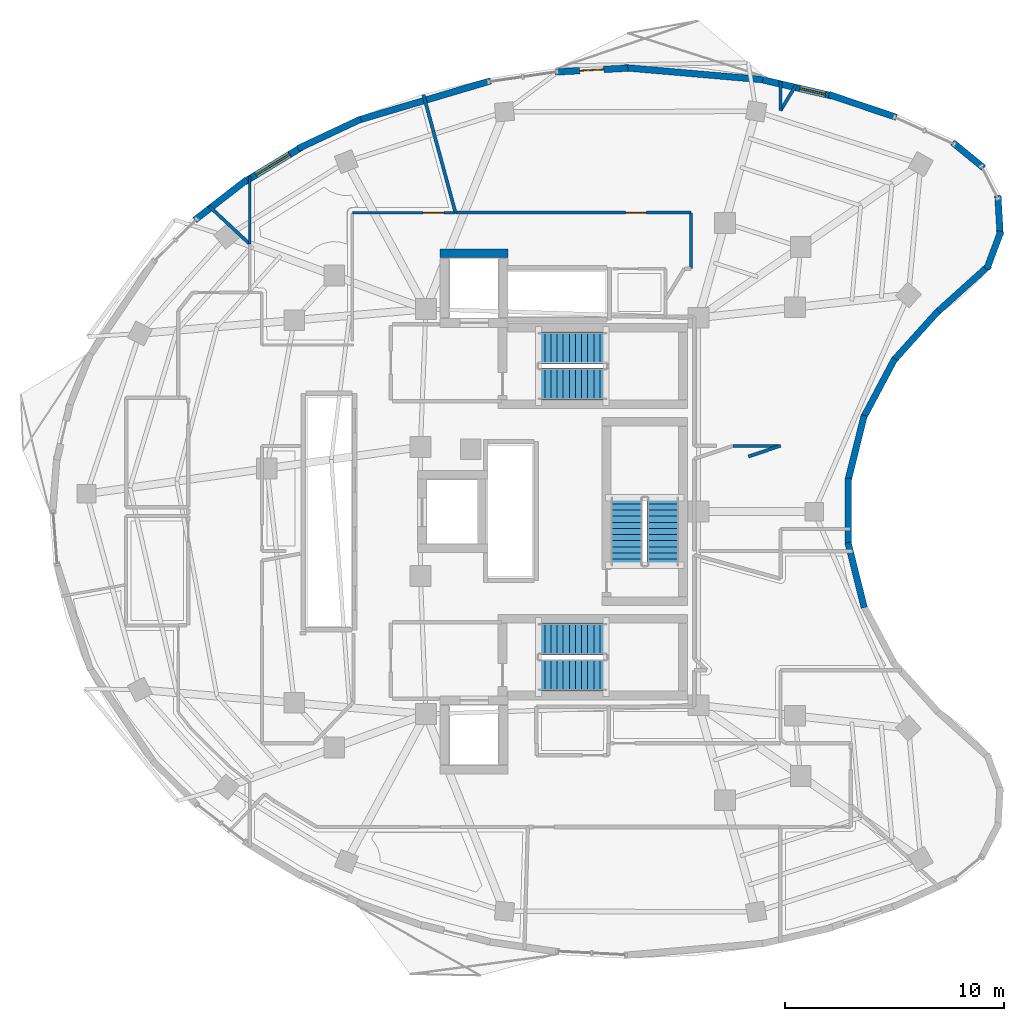
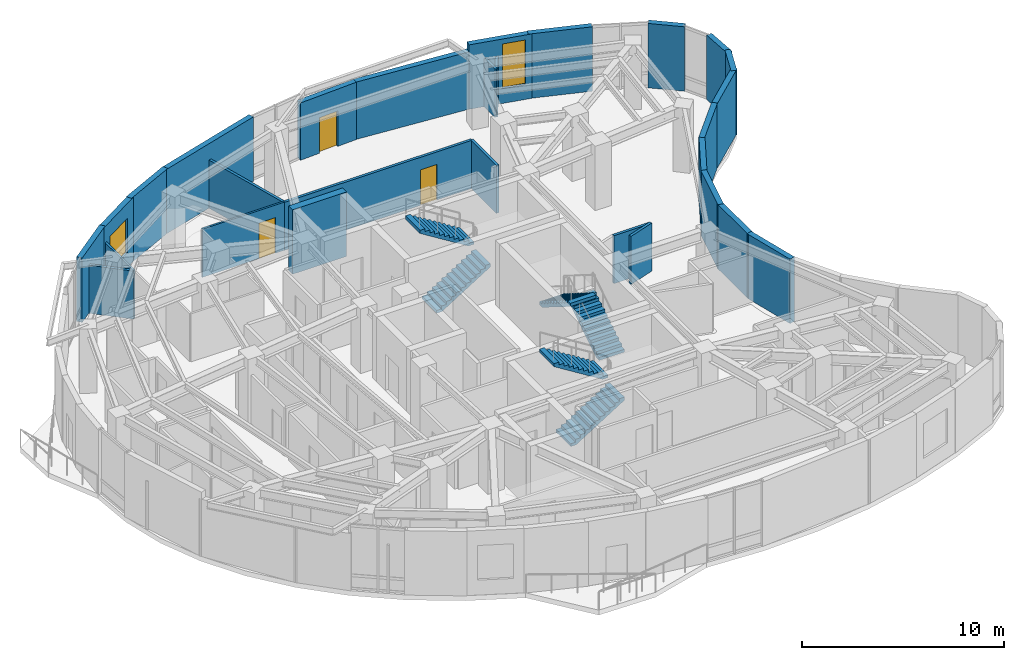
# One storey, part 10 of 14: 28 walls, 6 stair flights, 3 doors, 2 windows, 5 openings, 3 elements without a shape of their own.
"""IFC4 building model written with IfcOpenShell, lengths in metres."""

from ifc_helpers import new_model, si_unit, direction, frame, frame_2d, origin, place, context, subcontext, project, spatial, polyline, rectangle, outline, extrude, material, layer, layer_set, type_object, element, fill, aggregate, save


model = new_model("IFC4")

# Units and contexts
model_context = context("Model", 3, precision=1e-05, world=origin(), true_north=direction((0.0, 1.0)))
body_context = subcontext(model_context, "Body", "Model", "MODEL_VIEW")
ifc_project = project(units=[si_unit("LENGTHUNIT", "METRE"), si_unit("AREAUNIT", "SQUARE_METRE"), si_unit("VOLUMEUNIT", "CUBIC_METRE"), si_unit("PLANEANGLEUNIT", "RADIAN"), si_unit("MASSUNIT", "GRAM", prefix="KILO")], contexts=[model_context])

# Site, building, storey
site_placement = place(None, origin())
site = spatial("IfcSite", under=ifc_project, at=site_placement, CompositionType="ELEMENT")
building_placement = place(site_placement, origin())
building = spatial("IfcBuilding", under=site, at=building_placement, Name="Korentha Bioscience Tower", CompositionType="ELEMENT")
storey_placement = place(building_placement, frame((0.0, 0.0, 264.60009765625)))
storey = spatial("IfcBuildingStorey", under=building, at=storey_placement, Name="L61", CompositionType="ELEMENT", Elevation=264.60009765625)

# Wall, opening, door
ifc_material_1 = material(Name="Double-Stud Acoustic Gypsum", Category="gypsum")
ifc_layer_1 = layer(ifc_material_1, 0.14990234375, Name="Double-Stud Acoustic Gypsum")
ifc_layer_set_1 = layer_set([ifc_layer_1], Name="Double-Stud Acoustic Gypsum (IW-L150)")
wall_type_1 = type_object("IfcWallType", Name="Acoustic Laboratory Partition Wall 150", PredefinedType="PARTITIONING", material=ifc_layer_set_1)
wall_1_placement = place(storey_placement, frame((37.199951171875, 40.659912109375, 0.0), z_axis=(0.0, 0.0, 1.0), x_axis=(-1.0, 0.0, 0.0)))
wall_1 = element("IfcWall", 1, at=wall_1_placement, inside=storey, type_object=wall_type_1, Name="L61 Computational Biology Open Studio 08 Entrance Wall", PredefinedType="PARTITIONING", context=body_context, shape_type="SweptSolid", body=[
    extrude(rectangle(XDim=10.749755859375, YDim=0.14990234375, at=frame_2d((5.375, 0.0))), origin(), (0.0, 0.0, 1.0), 2.909912109375),
])
opening_1_placement = place(wall_1_placement, frame((2.022705078125, 0.0, 0.0)))
opening_1 = element("IfcOpeningElement", 2, at=opening_1_placement, cuts=wall_1, Name="Opening ID-10L", PredefinedType="OPENING", context=body_context, shape_type="SweptSolid", body=[
    extrude(rectangle(XDim=0.949951171875, YDim=2.14990234375, at=frame_2d((0.47509765625, 1.074951171875))), frame((0.0, 0.08984375, 0.0), z_axis=(0.0, -1.0, 0.0), x_axis=(1.0, 0.0, 0.0)), (0.0, 0.0, 1.0), 0.1796875),
])
ifc_material_2 = material(Name="Phenolic Laminate Timber Core", Category="wood")
door_type_1 = type_object("IfcDoorType", Name="Laboratory Single Leaf Door 950x2150 Left", OperationType="SINGLE_SWING_LEFT", PredefinedType="DOOR", material=ifc_material_2)
door_1_placement = place(opening_1_placement, origin())
door_1 = element("IfcDoor", 3, at=door_1_placement, inside=storey, type_object=door_type_1, Name="L61 Computational Biology Open Studio 08 Door", OperationType="SINGLE_SWING_LEFT", OverallHeight=2.14990234375, OverallWidth=0.949951171875, PredefinedType="DOOR", context=body_context, shape_type="SweptSolid", body=[
    extrude(rectangle(XDim=0.949951171875, YDim=2.14990234375, at=frame_2d((0.47509765625, 1.074951171875))), frame((0.0, 0.02490234375, 0.0), z_axis=(0.0, -1.0, 0.0), x_axis=(1.0, 0.0, 0.0)), (0.0, 0.0, 1.0), 0.050048828125),
])
fill(opening_1, door_1)

# Walls
wall_2_placement = place(storey_placement, frame((41.298095703125, 46.6708984375, 0.0), z_axis=(0.0, 0.0, 1.0), x_axis=(0.0, -1.0, 0.0)))
element("IfcWall", 4, at=wall_2_placement, inside=storey, type_object=wall_type_1, Name="L61 Interior Partition 062", PredefinedType="PARTITIONING", context=body_context, shape_type="SweptSolid", body=[
    extrude(rectangle(XDim=1.3408203125, YDim=0.14990234375, at=frame_2d((0.67041015625, 0.0))), origin(), (0.0, 0.0, 1.0), 2.909912109375),
])
wall_3_placement = place(storey_placement, frame((41.305419921875, 45.327880859375, 0.0), z_axis=(0.0, 0.0, 1.0), x_axis=(0.519522541731, 0.854456744741, 0.0)))
element("IfcWall", 5, at=wall_3_placement, inside=storey, type_object=wall_type_1, Name="L61 Interior Partition 063", PredefinedType="PARTITIONING", context=body_context, shape_type="SweptSolid", body=[
    extrude(rectangle(XDim=1.368896484375, YDim=0.14990234375, at=frame_2d((0.6845703125, 0.0))), origin(), (0.0, 0.0, 1.0), 2.909912109375),
])
wall_4_placement = place(storey_placement, frame((37.2099609375, 38.10009765625, 0.0), z_axis=(0.0, 0.0, 1.0), x_axis=(0.0, 1.0, 0.0)))
element("IfcWall", 6, at=wall_4_placement, inside=storey, type_object=wall_type_1, Name="L61 Interior Partition 074", PredefinedType="PARTITIONING", context=body_context, shape_type="SweptSolid", body=[
    extrude(rectangle(XDim=2.5498046875, YDim=0.14990234375, at=frame_2d((1.27490234375, 0.0))), origin(), (0.0, 0.0, 1.0), 2.909912109375),
])
wall_5_placement = place(storey_placement, frame((26.4501953125, 40.659912109375, 0.0), z_axis=(0.0, 0.0, 1.0), x_axis=(-0.262158446876, 0.965024843583, 0.0)))
element("IfcWall", 7, at=wall_5_placement, inside=storey, type_object=wall_type_1, Name="L61 Interior Partition 075", PredefinedType="PARTITIONING", context=body_context, shape_type="SweptSolid", body=[
    extrude(rectangle(XDim=5.580078125, YDim=0.14990234375, at=frame_2d((2.7900390625, 0.0))), origin(), (0.0, 0.0, 1.0), 2.909912109375),
])
wall_6_placement = place(storey_placement, frame((39.137939453125, 29.998046875, 0.0), z_axis=(0.0, 0.0, 1.0), x_axis=(1.0, 0.0, 0.0)))
element("IfcWall", 8, at=wall_6_placement, inside=storey, type_object=wall_type_1, Name="L61 Interior Partition 076", PredefinedType="PARTITIONING", context=body_context, shape_type="SweptSolid", body=[
    extrude(rectangle(XDim=2.159912109375, YDim=0.14990234375, at=frame_2d((1.080078125, 0.0))), origin(), (0.0, 0.0, 1.0), 2.909912109375),
])
wall_7_placement = place(storey_placement, frame((41.296630859375, 30.005859375, 0.0), z_axis=(0.0, 0.0, 1.0), x_axis=(-0.94833529206, -0.317269875395, 0.0)))
element("IfcWall", 9, at=wall_7_placement, inside=storey, type_object=wall_type_1, Name="L61 Interior Partition 078", PredefinedType="PARTITIONING", context=body_context, shape_type="SweptSolid", body=[
    extrude(rectangle(XDim=1.5458984375, YDim=0.14990234375, at=frame_2d((0.77294921875, 0.0))), origin(), (0.0, 0.0, 1.0), 2.909912109375),
])
wall_8_placement = place(storey_placement, frame((15.18310546875, 40.963134765625, 0.0), z_axis=(0.0, 0.0, 1.0), x_axis=(0.731313930883, -0.682041006462, 0.0)))
element("IfcWall", 10, at=wall_8_placement, inside=storey, type_object=wall_type_1, Name="L61 Interior Partition 085", PredefinedType="PARTITIONING", context=body_context, shape_type="SweptSolid", body=[
    extrude(rectangle(XDim=2.541748046875, YDim=0.14990234375, at=frame_2d((1.27099609375, 0.0))), origin(), (0.0, 0.0, 1.0), 2.909912109375),
])

# Wall, opening, door
ifc_material_3 = material(Name="Fire-Rated Framed Glass", Category="glass")
ifc_layer_2 = layer(ifc_material_3, 0.110107421875, Name="Fire-Rated Framed Glass")
ifc_layer_set_2 = layer_set([ifc_layer_2], Name="Fire-Rated Framed Glass (IW-G110)")
wall_type_2 = type_object("IfcWallType", Name="Demountable Glazed Office Partition 110", PredefinedType="MOVABLE", material=ifc_layer_set_2)
wall_9_placement = place(storey_placement, frame((26.43994140625, 40.659912109375, 0.0), z_axis=(0.0, 0.0, 1.0), x_axis=(-1.0, 0.0, 0.0)))
wall_9 = element("IfcWall", 11, at=wall_9_placement, inside=storey, type_object=wall_type_2, Name="L61 Postdoctoral Fellows' Quiet Study 09 Entrance Wall", PredefinedType="MOVABLE", context=body_context, shape_type="SweptSolid", body=[
    extrude(rectangle(XDim=4.68994140625, YDim=0.110107421875, at=frame_2d((2.344970703125, 0.0))), origin(), (0.0, 0.0, 1.0), 2.909912109375),
])
opening_2_placement = place(wall_9_placement, frame((0.51171875, 0.0, 0.0)))
opening_2 = element("IfcOpeningElement", 12, at=opening_2_placement, cuts=wall_9, Name="Opening ID-10R", PredefinedType="OPENING", context=body_context, shape_type="SweptSolid", body=[
    extrude(rectangle(XDim=0.949951171875, YDim=2.14990234375, at=frame_2d((0.47509765625, 1.074951171875))), frame((0.0, 0.06982421875, 0.0), z_axis=(0.0, -1.0, 0.0), x_axis=(1.0, 0.0, 0.0)), (0.0, 0.0, 1.0), 0.139892578125),
])
door_type_2 = type_object("IfcDoorType", Name="Laboratory Single Leaf Door 950x2150 Right", OperationType="SINGLE_SWING_RIGHT", PredefinedType="DOOR", material=ifc_material_2)
door_2_placement = place(opening_2_placement, origin())
door_2 = element("IfcDoor", 13, at=door_2_placement, inside=storey, type_object=door_type_2, Name="L61 Postdoctoral Fellows' Quiet Study 09 Door", OperationType="SINGLE_SWING_RIGHT", OverallHeight=2.14990234375, OverallWidth=0.949951171875, PredefinedType="DOOR", context=body_context, shape_type="SweptSolid", body=[
    extrude(rectangle(XDim=0.949951171875, YDim=2.14990234375, at=frame_2d((0.47509765625, 1.074951171875))), frame((0.0, 0.02490234375, 0.0), z_axis=(0.0, -1.0, 0.0), x_axis=(1.0, 0.0, 0.0)), (0.0, 0.0, 1.0), 0.050048828125),
])
fill(opening_2, door_2)

# Wall
wall_10_placement = place(storey_placement, frame((17.052001953125, 39.225830078125, 0.0), z_axis=(0.0, 0.0, 1.0), x_axis=(0.0, 1.0, 0.0)))
element("IfcWall", 14, at=wall_10_placement, inside=storey, type_object=wall_type_2, Name="L61 Interior Partition 079", PredefinedType="MOVABLE", context=body_context, shape_type="SweptSolid", body=[
    extrude(rectangle(XDim=3.098876953125, YDim=0.110107421875, at=frame_2d((1.54931640625, 0.0))), origin(), (0.0, 0.0, 1.0), 2.909912109375),
])

# Wall, opening, window
ifc_material_4 = material(Name="Honed Limestone Precast Concrete C40", Category="masonry")
ifc_layer_3 = layer(ifc_material_4, 0.300048828125, Name="Honed Limestone Precast Concrete C40")
ifc_layer_set_3 = layer_set([ifc_layer_3], Name="Honed Limestone Precast Concrete C40 (EW-ST300)")
wall_type_3 = type_object("IfcWallType", Name="Honed Limestone Cavity Spandrel Wall 300", PredefinedType="STANDARD", material=ifc_layer_set_3)
wall_11_placement = place(storey_placement, frame((43.662841796875, 45.986328125, 0.0), z_axis=(0.0, 0.0, 1.0), x_axis=(-0.974196208509, 0.225702785377, 0.0)))
wall_11 = element("IfcWall", 15, at=wall_11_placement, inside=storey, type_object=wall_type_3, Name="L61 Honed Limestone Spandrel Wall 03", PredefinedType="STANDARD", context=body_context, shape_type="SweptSolid", body=[
    extrude(rectangle(XDim=3.255859375, YDim=0.300048828125, at=frame_2d((1.6279296875, 0.0))), origin(), (0.0, 0.0, 1.0), 3.89990234375),
])
opening_3_placement = place(wall_11_placement, frame((0.324462890625, 0.0, 0.89990234375)))
opening_3 = element("IfcOpeningElement", 16, at=opening_3_placement, cuts=wall_11, Name="Opening WN-03", PredefinedType="OPENING", context=body_context, shape_type="SweptSolid", body=[
    extrude(rectangle(XDim=1.199951171875, YDim=2.699951171875, at=frame_2d((0.60009765625, 1.35009765625))), frame((0.0, 0.1650390625, 0.0), z_axis=(0.0, -1.0, 0.0), x_axis=(1.0, 0.0, 0.0)), (0.0, 0.0, 1.0), 0.329833984375),
])
ifc_material_5 = material(Name="Thermally Broken Aluminium Triple Glazing", Category="aluminium")
window_type_1 = type_object("IfcWindowType", Name="Theatre Foyer Tall Ribbon Window 1200x2700", PartitioningType="SINGLE_PANEL", PredefinedType="WINDOW", material=ifc_material_5)
window_1_placement = place(opening_3_placement, origin())
window_1 = element("IfcWindow", 17, at=window_1_placement, inside=storey, type_object=window_type_1, Name="L61 Facade Window 03", OverallHeight=2.699951171875, OverallWidth=1.199951171875, PartitioningType="SINGLE_PANEL", PredefinedType="WINDOW", context=body_context, shape_type="SweptSolid", body=[
    extrude(rectangle(XDim=1.199951171875, YDim=2.699951171875, at=frame_2d((0.60009765625, 1.35009765625))), frame((0.0, 0.030029296875, 0.0), z_axis=(0.0, -1.0, 0.0), x_axis=(1.0, 0.0, 0.0)), (0.0, 0.0, 1.0), 0.06005859375),
])
fill(opening_3, window_1)

# Wall, opening, door
wall_12_placement = place(storey_placement, frame((34.32421875, 47.256591796875, 0.0), z_axis=(0.0, 0.0, 1.0), x_axis=(-0.998637335207, -0.052186901914, 0.0)))
wall_12 = element("IfcWall", 18, at=wall_12_placement, inside=storey, type_object=wall_type_3, Name="L61 Balcony Threshold Wall 01", PredefinedType="STANDARD", context=body_context, shape_type="SweptSolid", body=[
    extrude(rectangle(XDim=3.307373046875, YDim=0.300048828125, at=frame_2d((1.65380859375, 0.0))), origin(), (0.0, 0.0, 1.0), 3.469970703125),
])
opening_4_placement = place(wall_12_placement, frame((1.103759765625, 0.0, 0.0)))
opening_4 = element("IfcOpeningElement", 19, at=opening_4_placement, cuts=wall_12, Name="Opening BD-11L", PredefinedType="OPENING", context=body_context, shape_type="SweptSolid", body=[
    extrude(rectangle(XDim=1.10009765625, YDim=2.14990234375, at=frame_2d((0.550048828125, 1.074951171875))), frame((0.0, 0.1650390625, 0.0), z_axis=(0.0, -1.0, 0.0), x_axis=(1.0, 0.0, 0.0)), (0.0, 0.0, 1.0), 0.329833984375),
])
ifc_material_6 = material(Name="Thermally Broken Glazed Aluminium", Category="aluminium")
door_type_3 = type_object("IfcDoorType", Name="Balcony Terrace Glazed Door 1100x2150 Left", OperationType="SINGLE_SWING_LEFT", PredefinedType="DOOR", material=ifc_material_6)
door_3_placement = place(opening_4_placement, origin())
door_3 = element("IfcDoor", 20, at=door_3_placement, inside=storey, type_object=door_type_3, Name="L61 Balcony Access Door 01", OperationType="SINGLE_SWING_LEFT", OverallHeight=2.14990234375, OverallWidth=1.10009765625, PredefinedType="DOOR", context=body_context, shape_type="SweptSolid", body=[
    extrude(rectangle(XDim=1.10009765625, YDim=2.14990234375, at=frame_2d((0.550048828125, 1.074951171875))), frame((0.0, 0.02490234375, 0.0), z_axis=(0.0, -1.0, 0.0), x_axis=(1.0, 0.0, 0.0)), (0.0, 0.0, 1.0), 0.050048828125),
])
fill(opening_4, door_3)

# Wall, opening, window
wall_13_placement = place(storey_placement, frame((19.408447265625, 43.639404296875, 0.0), z_axis=(0.0, 0.0, 1.0), x_axis=(-0.854482916714, -0.519479494344, 0.0)))
wall_13 = element("IfcWall", 21, at=wall_13_placement, inside=storey, type_object=wall_type_3, Name="L61 Honed Limestone Spandrel Wall 11", PredefinedType="STANDARD", context=body_context, shape_type="SweptSolid", body=[
    extrude(rectangle(XDim=3.049072265625, YDim=0.300048828125, at=frame_2d((1.5244140625, 0.0))), origin(), (0.0, 0.0, 1.0), 3.89990234375),
])
opening_5_placement = place(wall_13_placement, frame((0.62451171875, 0.0, 0.89990234375)))
opening_5 = element("IfcOpeningElement", 22, at=opening_5_placement, cuts=wall_13, Name="Opening WN-01", PredefinedType="OPENING", context=body_context, shape_type="SweptSolid", body=[
    extrude(rectangle(XDim=1.800048828125, YDim=2.10009765625, at=frame_2d((0.89990234375, 1.050048828125))), frame((0.0, 0.1650390625, 0.0), z_axis=(0.0, -1.0, 0.0), x_axis=(1.0, 0.0, 0.0)), (0.0, 0.0, 1.0), 0.329833984375),
])
window_type_2 = type_object("IfcWindowType", Name="Triple-Glazed Fixed Bioscience Window 1800x2100", PartitioningType="SINGLE_PANEL", PredefinedType="WINDOW", material=ifc_material_5)
window_2_placement = place(opening_5_placement, origin())
window_2 = element("IfcWindow", 23, at=window_2_placement, inside=storey, type_object=window_type_2, Name="L61 Facade Window 11", OverallHeight=2.10009765625, OverallWidth=1.800048828125, PartitioningType="SINGLE_PANEL", PredefinedType="WINDOW", context=body_context, shape_type="SweptSolid", body=[
    extrude(rectangle(XDim=1.800048828125, YDim=2.10009765625, at=frame_2d((0.89990234375, 1.050048828125))), frame((0.0, 0.030029296875, 0.0), z_axis=(0.0, -1.0, 0.0), x_axis=(1.0, 0.0, 0.0)), (0.0, 0.0, 1.0), 0.06005859375),
])
fill(opening_5, window_2)

# Walls
wall_14_placement = place(storey_placement, frame((46.59375, 45.0126953125, 0.0), z_axis=(0.0, 0.0, 1.0), x_axis=(-0.94763187211, 0.319364736566, 0.0)))
element("IfcWall", 24, at=wall_14_placement, inside=storey, type_object=wall_type_3, Name="L61 Limestone Perimeter Closure Wall 02", PredefinedType="STANDARD", context=body_context, shape_type="SweptSolid", body=[
    extrude(rectangle(XDim=3.24365234375, YDim=0.300048828125, at=frame_2d((1.621826171875, 0.0))), origin(), (0.0, 0.0, 1.0), 3.89990234375),
])
wall_15_placement = place(storey_placement, frame((40.653076171875, 46.71728515625, 0.0), z_axis=(0.0, 0.0, 1.0), x_axis=(-0.996250708408, 0.086513155053, 0.0)))
element("IfcWall", 25, at=wall_15_placement, inside=storey, type_object=wall_type_3, Name="L61 Limestone Perimeter Closure Wall 04", PredefinedType="STANDARD", context=body_context, shape_type="SweptSolid", body=[
    extrude(rectangle(XDim=6.51318359375, YDim=0.300048828125, at=frame_2d((3.256591796875, 0.0))), origin(), (0.0, 0.0, 1.0), 3.469970703125),
])
wall_16_placement = place(storey_placement, frame((28.054931640625, 46.677001953125, 0.0), z_axis=(0.0, 0.0, 1.0), x_axis=(-0.958650794435, -0.284585056406, 0.0)))
element("IfcWall", 26, at=wall_16_placement, inside=storey, type_object=wall_type_3, Name="L61 Limestone Perimeter Closure Wall 08", PredefinedType="STANDARD", context=body_context, shape_type="SweptSolid", body=[
    extrude(rectangle(XDim=6.358642578125, YDim=0.300048828125, at=frame_2d((3.17919921875, 0.0))), origin(), (0.0, 0.0, 1.0), 3.89990234375),
])
wall_17_placement = place(storey_placement, frame((22.128173828125, 44.931884765625, 0.0), z_axis=(0.0, 0.0, 1.0), x_axis=(-0.904970590823, -0.425474123472, 0.0)))
element("IfcWall", 27, at=wall_17_placement, inside=storey, type_object=wall_type_3, Name="L61 Limestone Perimeter Closure Wall 10", PredefinedType="STANDARD", context=body_context, shape_type="SweptSolid", body=[
    extrude(rectangle(XDim=3.16796875, YDim=0.300048828125, at=frame_2d((1.583984375, 0.0))), origin(), (0.0, 0.0, 1.0), 3.89990234375),
])
wall_18_placement = place(storey_placement, frame((16.920166015625, 42.16162109375, 0.0), z_axis=(0.0, 0.0, 1.0), x_axis=(-0.790506568463, -0.612453561682, 0.0)))
element("IfcWall", 28, at=wall_18_placement, inside=storey, type_object=wall_type_3, Name="L61 Limestone Perimeter Closure Wall 12", PredefinedType="STANDARD", context=body_context, shape_type="SweptSolid", body=[
    extrude(rectangle(XDim=3.0029296875, YDim=0.300048828125, at=frame_2d((1.50146484375, 0.0))), origin(), (0.0, 0.0, 1.0), 3.89990234375),
])
wall_19_placement = place(storey_placement, frame((45.12744140625, 22.609130859375, 0.0), z_axis=(0.0, 0.0, 1.0), x_axis=(-0.241880750878, 0.970305983881, 0.0)))
element("IfcWall", 29, at=wall_19_placement, inside=storey, type_object=wall_type_3, Name="L61 Limestone Perimeter Closure Wall 47", PredefinedType="STANDARD", context=body_context, shape_type="SweptSolid", body=[
    extrude(rectangle(XDim=3.0703125, YDim=0.300048828125, at=frame_2d((1.53515625, 0.0))), origin(), (0.0, 0.0, 1.0), 3.89990234375),
])
wall_20_placement = place(storey_placement, frame((44.39990234375, 25.464599609375, 0.0), z_axis=(0.0, 0.0, 1.0), x_axis=(0.0, 1.0, 0.0)))
element("IfcWall", 30, at=wall_20_placement, inside=storey, type_object=wall_type_3, Name="L61 Limestone Perimeter Closure Wall 49", PredefinedType="STANDARD", context=body_context, shape_type="SweptSolid", body=[
    extrude(rectangle(XDim=3.07080078125, YDim=0.300048828125, at=frame_2d((1.535400390625, 0.0))), origin(), (0.0, 0.0, 1.0), 3.89990234375),
])
wall_21_placement = place(storey_placement, frame((44.384765625, 28.41162109375, 0.0), z_axis=(0.0, 0.0, 1.0), x_axis=(0.241880750878, 0.970305983881, 0.0)))
element("IfcWall", 31, at=wall_21_placement, inside=storey, type_object=wall_type_3, Name="L61 Limestone Perimeter Closure Wall 51", PredefinedType="STANDARD", context=body_context, shape_type="SweptSolid", body=[
    extrude(rectangle(XDim=3.0703125, YDim=0.300048828125, at=frame_2d((1.53515625, 0.0))), origin(), (0.0, 0.0, 1.0), 3.89990234375),
])
wall_22_placement = place(storey_placement, frame((45.082763671875, 31.2744140625, 0.0), z_axis=(0.0, 0.0, 1.0), x_axis=(0.469494296004, 0.882935505017, 0.0)))
element("IfcWall", 32, at=wall_22_placement, inside=storey, type_object=wall_type_3, Name="L61 Limestone Perimeter Closure Wall 53", PredefinedType="STANDARD", context=body_context, shape_type="SweptSolid", body=[
    extrude(rectangle(XDim=3.070556640625, YDim=0.300048828125, at=frame_2d((1.53515625, 0.0))), origin(), (0.0, 0.0, 1.0), 3.89990234375),
])
wall_23_placement = place(storey_placement, frame((46.452880859375, 33.88330078125, 0.0), z_axis=(0.0, 0.0, 1.0), x_axis=(0.669127242861, 0.743147853971, 0.0)))
element("IfcWall", 33, at=wall_23_placement, inside=storey, type_object=wall_type_3, Name="L61 Limestone Perimeter Closure Wall 55", PredefinedType="STANDARD", context=body_context, shape_type="SweptSolid", body=[
    extrude(rectangle(XDim=3.07080078125, YDim=0.300048828125, at=frame_2d((1.535400390625, 0.0))), origin(), (0.0, 0.0, 1.0), 3.89990234375),
])
wall_24_placement = place(storey_placement, frame((48.40478515625, 36.062744140625, 0.0), z_axis=(0.0, 0.0, 1.0), x_axis=(0.743397410822, 0.668849975393, 0.0)))
element("IfcWall", 34, at=wall_24_placement, inside=storey, type_object=wall_type_3, Name="L61 Limestone Perimeter Closure Wall 57", PredefinedType="STANDARD", context=body_context, shape_type="SweptSolid", body=[
    extrude(rectangle(XDim=3.291259765625, YDim=0.300048828125, at=frame_2d((1.6455078125, 0.0))), origin(), (0.0, 0.0, 1.0), 3.89990234375),
])
for number, where, z_axis, x_axis, name in (
    (35, (50.726806640625, 38.08056640625, 0.0), (0.0, 0.0, 1.0), (0.348928688775, 0.937149278477, 0.0), "L61 Limestone Perimeter Closure Wall 59"),
    (36, (51.33740234375, 39.594482421875, 0.0), (0.0, 0.0, 1.0), (-0.057400886187, 0.998351209878, 0.0), "L61 Limestone Perimeter Closure Wall 60"),
    (37, (50.58544921875, 42.70068359375, 0.0), (0.0, 0.0, 1.0), (-0.774228937895, 0.63290564204, 0.0), "L61 Limestone Perimeter Closure Wall 62"),
):
    element("IfcWall", number, at=place(storey_placement, frame(where, z_axis=z_axis, x_axis=x_axis)), inside=storey, type_object=wall_type_3, Name=name, PredefinedType="STANDARD", context=body_context, shape_type="SweptSolid", body=[
        extrude(rectangle(XDim=1.841552734375, YDim=0.300048828125, at=frame_2d((0.9208984375, 0.0))), origin(), (0.0, 0.0, 1.0), 3.89990234375),
    ])
ifc_material_7 = material(Name="Concrete C65", Category="concrete")
ifc_layer_4 = layer(ifc_material_7, 0.39990234375, Name="Concrete C65")
ifc_layer_set_4 = layer_set([ifc_layer_4], Name="Concrete C65 (CW-C65)")
wall_type_4 = type_object("IfcWallType", Name="Mid-Rise Core Shear Wall 400", PredefinedType="SHEAR", material=ifc_layer_set_4)
wall_25_placement = place(storey_placement, frame((25.75, 38.800048828125, 0.0), z_axis=(0.0, 0.0, 1.0), x_axis=(1.0, 0.0, 0.0)))
element("IfcWall", 38, at=wall_25_placement, inside=storey, type_object=wall_type_4, Name="L61 Core Shear Wall FFL2-N", PredefinedType="SHEAR", context=body_context, shape_type="SweptSolid", body=[
    extrude(rectangle(XDim=3.10009765625, YDim=0.39990234375, at=frame_2d((1.550048828125, 0.0))), origin(), (0.0, 0.0, 1.0), 3.89990234375),
])

# Stair, stair flights
ifc_material_8 = material(Name="Precast Concrete C50", Category="concrete")
stair_type = type_object("IfcStairType", Name="Core Exit Dog-Leg Stair 1450", PredefinedType="HALF_TURN_STAIR", material=ifc_material_8)
stair_1_placement = place(storey_placement, origin())
stair_1 = element("IfcStair", 39, at=stair_1_placement, inside=storey, type_object=stair_type, Name="L61 Tower North Pressurized Exit Stair ST-1", PredefinedType="HALF_TURN_STAIR")
stair_flight_type = type_object("IfcStairFlightType", Name="Core Exit Dog-Leg Stair 1450 Flight", PredefinedType="STRAIGHT", material=ifc_material_8)
stair_flight_1_placement = place(storey_placement, frame((30.25, 32.824951171875, 0.0), z_axis=(0.0, 0.0, 1.0), x_axis=(1.0, 0.0, 0.0)))
stair_flight_1 = element("IfcStairFlight", 40, at=stair_flight_1_placement, type_object=stair_flight_type, Name="ST-1 flight 1", NumberOfRisers=12, NumberOfTreads=11, PredefinedType="STRAIGHT", RiserHeight=0.175, TreadLength=0.28, context=body_context, shape_type="SweptSolid", body=[
    extrude(outline(polyline([(0.0, 0.0), (0.0, 0.175048828125), (0.280029296875, 0.175048828125), (0.280029296875, 0.35009765625), (0.56005859375, 0.35009765625), (0.56005859375, 0.52490234375), (0.840087890625, 0.52490234375), (0.840087890625, 0.699951171875), (1.1201171875, 0.699951171875), (1.1201171875, 0.875), (1.39990234375, 0.875), (1.39990234375, 1.050048828125), (1.679931640625, 1.050048828125), (1.679931640625, 1.22509765625), (1.9599609375, 1.22509765625), (1.9599609375, 1.39990234375), (2.239990234375, 1.39990234375), (2.239990234375, 1.574951171875), (2.52001953125, 1.574951171875), (2.52001953125, 1.75), (2.800048828125, 1.75), (2.800048828125, 1.925048828125), (3.080078125, 1.925048828125), (3.080078125, 2.10009765625), (3.080078125, 1.736328125), (0.3017578125, 0.0), (0.0, 0.0)])), frame((0.0, 0.72509765625, 0.0), z_axis=(0.0, -1.0, 0.0), x_axis=(1.0, 0.0, 0.0)), (0.0, 0.0, 1.0), 1.449951171875),
])
stair_flight_2_placement = place(storey_placement, frame((33.330078125, 34.47509765625, 2.099853515625), z_axis=(0.0, 0.0, 1.0), x_axis=(-1.0, 0.0, 0.0)))
stair_flight_2 = element("IfcStairFlight", 41, at=stair_flight_2_placement, type_object=stair_flight_type, Name="ST-1 flight 2", NumberOfRisers=12, NumberOfTreads=11, PredefinedType="STRAIGHT", RiserHeight=0.175, TreadLength=0.28, context=body_context, shape_type="SweptSolid", body=[
    extrude(outline(polyline([(0.0, 0.0), (0.0, 0.175048828125), (0.280029296875, 0.175048828125), (0.280029296875, 0.35009765625), (0.56005859375, 0.35009765625), (0.56005859375, 0.52490234375), (0.840087890625, 0.52490234375), (0.840087890625, 0.699951171875), (1.1201171875, 0.699951171875), (1.1201171875, 0.875), (1.39990234375, 0.875), (1.39990234375, 1.050048828125), (1.679931640625, 1.050048828125), (1.679931640625, 1.22509765625), (1.9599609375, 1.22509765625), (1.9599609375, 1.39990234375), (2.239990234375, 1.39990234375), (2.239990234375, 1.574951171875), (2.52001953125, 1.574951171875), (2.52001953125, 1.75), (2.800048828125, 1.75), (2.800048828125, 1.925048828125), (3.080078125, 1.925048828125), (3.080078125, 2.10009765625), (3.080078125, 1.736328125), (0.3017578125, 0.0), (0.0, 0.0)])), frame((0.0, 0.72509765625, 0.0), z_axis=(0.0, -1.0, 0.0), x_axis=(1.0, 0.0, 0.0)), (0.0, 0.0, 1.0), 1.449951171875),
])
aggregate(stair_1, [stair_flight_1, stair_flight_2])

stair_2_placement = place(storey_placement, origin())
stair_2 = element("IfcStair", 42, at=stair_2_placement, inside=storey, type_object=stair_type, Name="L61 Tower South Pressurized Exit Stair ST-2", PredefinedType="HALF_TURN_STAIR")
stair_flight_3_placement = place(storey_placement, frame((30.25, 19.52490234375, 0.0), z_axis=(0.0, 0.0, 1.0), x_axis=(1.0, 0.0, 0.0)))
stair_flight_3 = element("IfcStairFlight", 43, at=stair_flight_3_placement, type_object=stair_flight_type, Name="ST-2 flight 1", NumberOfRisers=12, NumberOfTreads=11, PredefinedType="STRAIGHT", RiserHeight=0.175, TreadLength=0.28, context=body_context, shape_type="SweptSolid", body=[
    extrude(outline(polyline([(0.0, 0.0), (0.0, 0.175048828125), (0.280029296875, 0.175048828125), (0.280029296875, 0.35009765625), (0.56005859375, 0.35009765625), (0.56005859375, 0.52490234375), (0.840087890625, 0.52490234375), (0.840087890625, 0.699951171875), (1.1201171875, 0.699951171875), (1.1201171875, 0.875), (1.39990234375, 0.875), (1.39990234375, 1.050048828125), (1.679931640625, 1.050048828125), (1.679931640625, 1.22509765625), (1.9599609375, 1.22509765625), (1.9599609375, 1.39990234375), (2.239990234375, 1.39990234375), (2.239990234375, 1.574951171875), (2.52001953125, 1.574951171875), (2.52001953125, 1.75), (2.800048828125, 1.75), (2.800048828125, 1.925048828125), (3.080078125, 1.925048828125), (3.080078125, 2.10009765625), (3.080078125, 1.736328125), (0.3017578125, 0.0), (0.0, 0.0)])), frame((0.0, 0.72509765625, 0.0), z_axis=(0.0, -1.0, 0.0), x_axis=(1.0, 0.0, 0.0)), (0.0, 0.0, 1.0), 1.449951171875),
])
stair_flight_4_placement = place(storey_placement, frame((33.330078125, 21.175048828125, 2.099853515625), z_axis=(0.0, 0.0, 1.0), x_axis=(-1.0, 0.0, 0.0)))
stair_flight_4 = element("IfcStairFlight", 44, at=stair_flight_4_placement, type_object=stair_flight_type, Name="ST-2 flight 2", NumberOfRisers=12, NumberOfTreads=11, PredefinedType="STRAIGHT", RiserHeight=0.175, TreadLength=0.28, context=body_context, shape_type="SweptSolid", body=[
    extrude(outline(polyline([(0.0, 0.0), (0.0, 0.175048828125), (0.280029296875, 0.175048828125), (0.280029296875, 0.35009765625), (0.56005859375, 0.35009765625), (0.56005859375, 0.52490234375), (0.840087890625, 0.52490234375), (0.840087890625, 0.699951171875), (1.1201171875, 0.699951171875), (1.1201171875, 0.875), (1.39990234375, 0.875), (1.39990234375, 1.050048828125), (1.679931640625, 1.050048828125), (1.679931640625, 1.22509765625), (1.9599609375, 1.22509765625), (1.9599609375, 1.39990234375), (2.239990234375, 1.39990234375), (2.239990234375, 1.574951171875), (2.52001953125, 1.574951171875), (2.52001953125, 1.75), (2.800048828125, 1.75), (2.800048828125, 1.925048828125), (3.080078125, 1.925048828125), (3.080078125, 2.10009765625), (3.080078125, 1.736328125), (0.3017578125, 0.0), (0.0, 0.0)])), frame((0.0, 0.72509765625, 0.0), z_axis=(0.0, -1.0, 0.0), x_axis=(1.0, 0.0, 0.0)), (0.0, 0.0, 1.0), 1.449951171875),
])
aggregate(stair_2, [stair_flight_3, stair_flight_4])

stair_3_placement = place(storey_placement, origin())
stair_3 = element("IfcStair", 45, at=stair_3_placement, inside=storey, type_object=stair_type, Name="L61 Tower Central Pressurized Exit Stair ST-3", PredefinedType="HALF_TURN_STAIR")
stair_flight_5_placement = place(storey_placement, frame((35.925048828125, 24.550048828125, 0.0), z_axis=(0.0, 0.0, 1.0), x_axis=(0.0, 1.0, 0.0)))
stair_flight_5 = element("IfcStairFlight", 46, at=stair_flight_5_placement, type_object=stair_flight_type, Name="ST-3 flight 1", NumberOfRisers=12, NumberOfTreads=11, PredefinedType="STRAIGHT", RiserHeight=0.175, TreadLength=0.28, context=body_context, shape_type="SweptSolid", body=[
    extrude(outline(polyline([(0.0, 0.0), (0.0, 0.175048828125), (0.280029296875, 0.175048828125), (0.280029296875, 0.35009765625), (0.56005859375, 0.35009765625), (0.56005859375, 0.52490234375), (0.840087890625, 0.52490234375), (0.840087890625, 0.699951171875), (1.1201171875, 0.699951171875), (1.1201171875, 0.875), (1.39990234375, 0.875), (1.39990234375, 1.050048828125), (1.679931640625, 1.050048828125), (1.679931640625, 1.22509765625), (1.9599609375, 1.22509765625), (1.9599609375, 1.39990234375), (2.239990234375, 1.39990234375), (2.239990234375, 1.574951171875), (2.52001953125, 1.574951171875), (2.52001953125, 1.75), (2.800048828125, 1.75), (2.800048828125, 1.925048828125), (3.080078125, 1.925048828125), (3.080078125, 2.10009765625), (3.080078125, 1.736328125), (0.3017578125, 0.0), (0.0, 0.0)])), frame((0.0, 0.72509765625, 0.0), z_axis=(0.0, -1.0, 0.0), x_axis=(1.0, 0.0, 0.0)), (0.0, 0.0, 1.0), 1.449951171875),
])
stair_flight_6_placement = place(storey_placement, frame((34.27490234375, 27.6298828125, 2.099853515625), z_axis=(0.0, 0.0, 1.0), x_axis=(0.0, -1.0, 0.0)))
stair_flight_6 = element("IfcStairFlight", 47, at=stair_flight_6_placement, type_object=stair_flight_type, Name="ST-3 flight 2", NumberOfRisers=12, NumberOfTreads=11, PredefinedType="STRAIGHT", RiserHeight=0.175, TreadLength=0.28, context=body_context, shape_type="SweptSolid", body=[
    extrude(outline(polyline([(0.0, 0.0), (0.0, 0.175048828125), (0.280029296875, 0.175048828125), (0.280029296875, 0.35009765625), (0.56005859375, 0.35009765625), (0.56005859375, 0.52490234375), (0.840087890625, 0.52490234375), (0.840087890625, 0.699951171875), (1.1201171875, 0.699951171875), (1.1201171875, 0.875), (1.39990234375, 0.875), (1.39990234375, 1.050048828125), (1.679931640625, 1.050048828125), (1.679931640625, 1.22509765625), (1.9599609375, 1.22509765625), (1.9599609375, 1.39990234375), (2.239990234375, 1.39990234375), (2.239990234375, 1.574951171875), (2.52001953125, 1.574951171875), (2.52001953125, 1.75), (2.800048828125, 1.75), (2.800048828125, 1.925048828125), (3.080078125, 1.925048828125), (3.080078125, 2.10009765625), (3.080078125, 1.736328125), (0.3017578125, 0.0), (0.0, 0.0)])), frame((0.0, 0.72509765625, 0.0), z_axis=(0.0, -1.0, 0.0), x_axis=(1.0, 0.0, 0.0)), (0.0, 0.0, 1.0), 1.449951171875),
])
aggregate(stair_3, [stair_flight_5, stair_flight_6])

save(model, "model.ifc")
